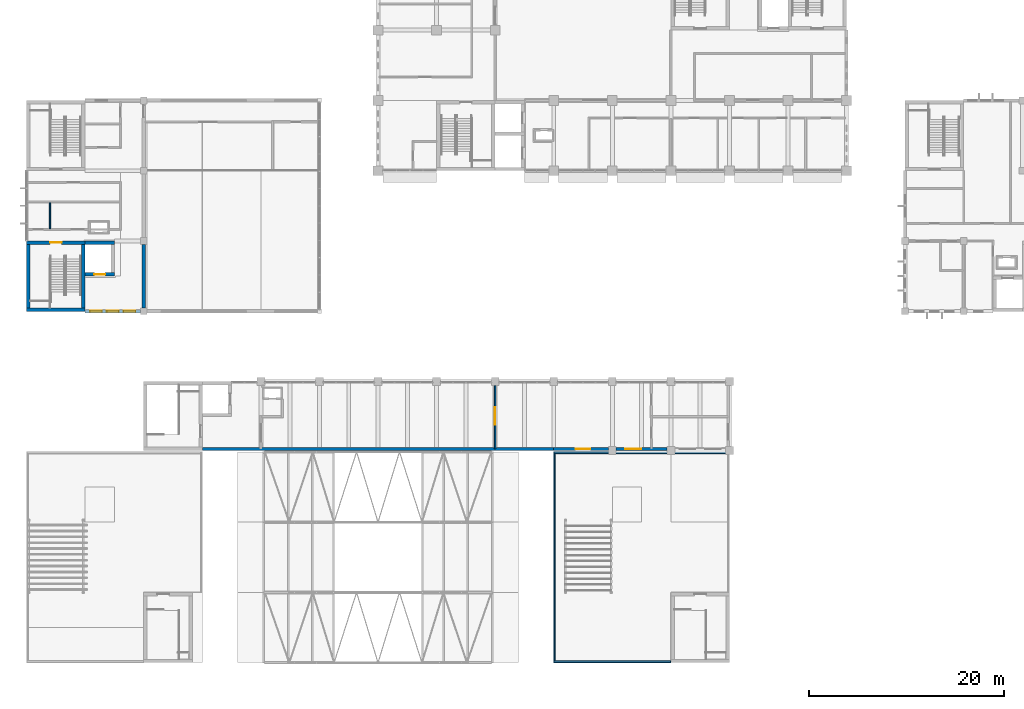
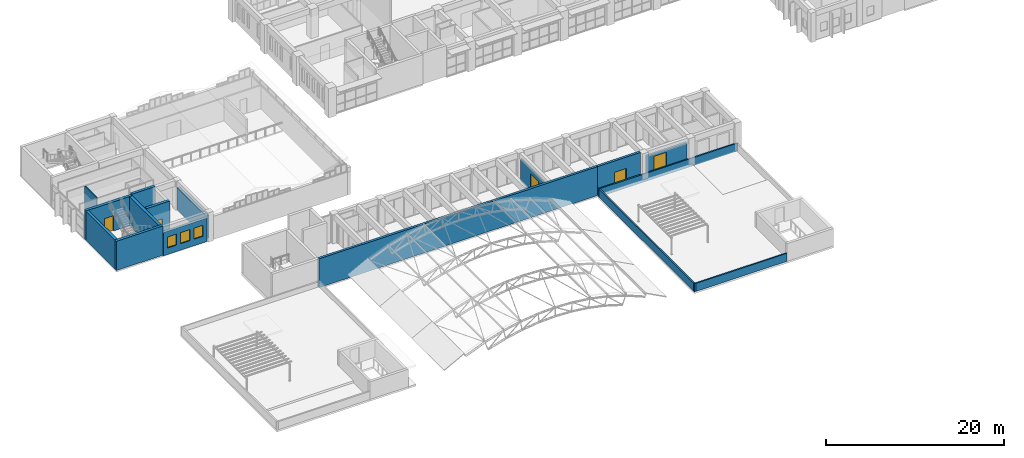
# One storey, part 61 of 92: 16 walls, 4 doors, 4 windows, 8 openings.
"""IFC4 building model written with IfcOpenShell, lengths in metres."""

import ifcopenshell
import ifcopenshell.guid

model = None  # the IFC model being written
_history = None  # IfcOwnerHistory: only IFC2X3 demands one
_inside = {}  # id of a spatial element -> (the spatial element, [elements in it])
_under = {}  # id of a project, library or spatial element -> (it, [spatial elements below it])
_declared = {}  # id of a project -> (the project, [libraries it declares])
_typed = {}  # id of a type object -> (the type object, [elements of that type])
_made_of = {}  # id of a material, layer set ... -> (it, [elements and type objects made of it])


def new_model(schema):
    """Start an empty IFC model of exactly this schema.

    Asked for "IFC4X3", IfcOpenShell would pick the latest addendum, in which some entities
    have other attributes; the version numbers below select the first issue.
    IFC2X3 requires an IfcOwnerHistory on every rooted entity: one is made here for all.
    """
    global model, _history
    if schema == "IFC4X3":
        model = ifcopenshell.file(schema_version=(4, 3, 0, 0))
    else:
        model = ifcopenshell.file(schema=schema)
    _inside.clear()
    _under.clear()
    _declared.clear()
    _typed.clear()
    _made_of.clear()
    _history = None
    if model.schema == "IFC2X3":
        org = make("IfcOrganization", Name="unknown")
        user = make(
            "IfcPersonAndOrganization",
            ThePerson=make("IfcPerson", FamilyName="unknown"),
            TheOrganization=org,
        )
        app = make(
            "IfcApplication",
            ApplicationDeveloper=org,
            Version="unknown",
            ApplicationFullName="unknown",
            ApplicationIdentifier="unknown",
        )
        _history = make(
            "IfcOwnerHistory",
            OwningUser=user,
            OwningApplication=app,
            ChangeAction="ADDED",
            CreationDate=0,
        )
    return model


def make(cls, **values):
    """One entity of the class cls with the attributes given. An attribute that is None is left unset."""
    return model.create_entity(
        cls, **{name: value for name, value in values.items() if value is not None}
    )


def rooted(cls, **values):
    """An entity with a GlobalId (a new one), such as an element, a storey or a relation."""
    return make(cls, GlobalId=ifcopenshell.guid.new(), OwnerHistory=_history, **values)


def si_unit(unit_type, name, prefix=None):
    """IfcSIUnit, for example si_unit("LENGTHUNIT", "METRE", prefix="MILLI")."""
    return make("IfcSIUnit", UnitType=unit_type, Prefix=prefix, Name=name)


def assignment(units):
    """IfcUnitAssignment: the units of a project."""
    return None if units is None else make("IfcUnitAssignment", Units=units)


def point(xyz):
    """IfcCartesianPoint."""
    return None if xyz is None else make("IfcCartesianPoint", Coordinates=xyz)


def direction(xyz):
    """IfcDirection."""
    return None if xyz is None else make("IfcDirection", DirectionRatios=xyz)


def frame(location, z_axis=None, x_axis=None):
    """IfcAxis2Placement3D, a coordinate frame: its origin and axes. An axis left out is left unset."""
    return make(
        "IfcAxis2Placement3D",
        Location=point(location),
        Axis=direction(z_axis),
        RefDirection=direction(x_axis),
    )


def frame_2d(location, x_axis=None):
    """IfcAxis2Placement2D, a coordinate frame in the plane: its origin and x axis."""
    return make(
        "IfcAxis2Placement2D", Location=point(location), RefDirection=direction(x_axis)
    )


def origin():
    """The frame at (0, 0, 0) with its axes left unset."""
    return frame((0.0, 0.0, 0.0))


def place(relative_to, where):
    """IfcLocalPlacement: puts the frame where relative to a parent placement (None: the world)."""
    return make(
        "IfcLocalPlacement", PlacementRelTo=relative_to, RelativePlacement=where
    )


def context(
    kind, dimensions, precision=None, world=None, true_north=None, identifier=None
):
    """IfcGeometricRepresentationContext, for example the 3D "Model" context."""
    return make(
        "IfcGeometricRepresentationContext",
        ContextIdentifier=identifier,
        ContextType=kind,
        CoordinateSpaceDimension=dimensions,
        Precision=precision,
        WorldCoordinateSystem=world,
        TrueNorth=true_north,
    )


def subcontext(parent, identifier, kind, view, scale=None):
    """IfcGeometricRepresentationSubContext, for example "Body" below "Model"."""
    return make(
        "IfcGeometricRepresentationSubContext",
        ContextIdentifier=identifier,
        ContextType=kind,
        ParentContext=parent,
        TargetScale=scale,
        TargetView=view,
    )


def project(units=None, contexts=None):
    """IfcProject with its units and contexts."""
    return rooted(
        "IfcProject",
        Name="project",
        RepresentationContexts=contexts,
        UnitsInContext=assignment(units),
    )


def spatial(cls, under=None, at=None, **own):
    """A site, building, storey or space (cls), placed at a placement, below another one or the project."""
    s = rooted(cls, ObjectPlacement=at, **own)
    if under is not None:
        _under.setdefault(under.id(), (under, []))[1].append(s)
    return s


def profile(cls, at=None, kind="AREA", **sizes):
    """A parametric profile (cls). Its sizes go by their IFC names, for example OverallWidth=200.0."""
    return make(cls, ProfileType=kind, Position=at, **sizes)


def rectangle(**sizes):
    """IfcRectangleProfileDef."""
    return profile("IfcRectangleProfileDef", **sizes)


def extrude(swept, where, along, depth):
    """IfcExtrudedAreaSolid: the profile swept, set in the frame where, extruded along a direction by depth."""
    return make(
        "IfcExtrudedAreaSolid",
        SweptArea=swept,
        Position=where,
        ExtrudedDirection=direction(along),
        Depth=depth,
    )


def shape(context_of_items, identifier, shape_type, items):
    """IfcShapeRepresentation: the items that make up one representation, for example the "Body"."""
    return make(
        "IfcShapeRepresentation",
        ContextOfItems=context_of_items,
        RepresentationIdentifier=identifier,
        RepresentationType=shape_type,
        Items=items,
    )


def material(Name=None, Category=None):
    """IfcMaterial."""
    return make("IfcMaterial", Name=Name, Category=Category)


def layer(
    of_material, thickness, ventilated=None, Name=None, Category=None, Priority=None
):
    """IfcMaterialLayer: one layer of a wall or slab, of a material (None: an air gap)."""
    return make(
        "IfcMaterialLayer",
        Material=of_material,
        LayerThickness=thickness,
        IsVentilated=ventilated,
        Name=Name,
        Category=Category,
        Priority=Priority,
    )


def layer_set(layers, Name=None):
    """IfcMaterialLayerSet."""
    return make("IfcMaterialLayerSet", MaterialLayers=layers, LayerSetName=Name)


def made_of(thing, what):
    """Note that an element or type object is made of a material, layer set ...; save() writes the relation."""
    if what is not None:
        _made_of.setdefault(what.id(), (what, []))[1].append(thing)
    return thing


def type_object(cls, material=None, **own):
    """A type object (cls), such as IfcWallType, which elements share."""
    return made_of(rooted(cls, **own), material)


def element(
    cls,
    number,
    at=None,
    inside=None,
    cuts=None,
    type_object=None,
    material=None,
    context=None,
    identifier="Body",
    shape_type=None,
    held_by="IfcProductDefinitionShape",
    body=None,
    shapes=None,
    **own,
):
    """One element of the class cls, such as IfcWall. Its Tag is "e" and its number.

    at: its placement. inside: the storey or other place that contains it. cuts: it is an
    opening in that element (IfcRelVoidsElement). A single representation is given by context,
    identifier, shape_type and body (its items); several are given by shapes. held_by: the class
    of the entity that holds the representations. save() writes the other relations.
    """
    e = rooted(cls, Tag="e%d" % number, ObjectPlacement=at, **own)
    if body is not None:
        shapes = [shape(context, identifier, shape_type, body)]
    if shapes is not None:
        e.Representation = make(held_by, Representations=shapes)
    if inside is not None:
        _inside.setdefault(inside.id(), (inside, []))[1].append(e)
    if cuts is not None:
        rooted(
            "IfcRelVoidsElement", RelatingBuildingElement=cuts, RelatedOpeningElement=e
        )
    if type_object is not None:
        _typed.setdefault(type_object.id(), (type_object, []))[1].append(e)
    return made_of(e, material)


def fill(opening, filler):
    """IfcRelFillsElement: the door or window that sits in an opening."""
    return rooted(
        "IfcRelFillsElement",
        RelatingOpeningElement=opening,
        RelatedBuildingElement=filler,
    )


def aggregate(whole, parts):
    """IfcRelAggregates: a whole, such as a stair, and the parts it consists of."""
    return rooted("IfcRelAggregates", RelatingObject=whole, RelatedObjects=parts)


def save(model, path):
    """Write the relations noted so far, then the file.

    IfcRelAggregates (storeys below a building ...), IfcRelContainedInSpatialStructure (elements
    in a storey), IfcRelDefinesByType, IfcRelAssociatesMaterial and IfcRelDeclares: one each for
    every whole, place, type object, material and project.
    """
    for whole, parts in _under.values():
        aggregate(whole, parts)
    for where, things in _inside.values():
        rooted(
            "IfcRelContainedInSpatialStructure",
            RelatedElements=things,
            RelatingStructure=where,
        )
    for kind, things in _typed.values():
        rooted("IfcRelDefinesByType", RelatedObjects=things, RelatingType=kind)
    for what, things in _made_of.values():
        rooted("IfcRelAssociatesMaterial", RelatedObjects=things, RelatingMaterial=what)
    for by, libraries in _declared.values():
        rooted("IfcRelDeclares", RelatingContext=by, RelatedDefinitions=libraries)
    model.write(path)


model = new_model("IFC4")

# Units and contexts
model_context = context("Model", 3, precision=1e-05, world=origin(), true_north=direction((0.0, 1.0)))
body_context = subcontext(model_context, "Body", "Model", "MODEL_VIEW")
ifc_project = project(units=[si_unit("LENGTHUNIT", "METRE"), si_unit("AREAUNIT", "SQUARE_METRE"), si_unit("VOLUMEUNIT", "CUBIC_METRE"), si_unit("PLANEANGLEUNIT", "RADIAN"), si_unit("MASSUNIT", "GRAM", prefix="KILO")], contexts=[model_context])

# Site, building, storey
site_placement = place(None, origin())
site = spatial("IfcSite", under=ifc_project, at=site_placement, CompositionType="ELEMENT")
building_placement = place(site_placement, origin())
building = spatial("IfcBuilding", under=site, at=building_placement, Name="Laocheng Heights Fire and Rescue Headquarters", CompositionType="ELEMENT")
storey_placement = place(building_placement, frame((0.0, 0.0, 12.60009765625)))
storey = spatial("IfcBuildingStorey", under=building, at=storey_placement, Name="L03", CompositionType="ELEMENT", Elevation=12.60009765625)

# Wall
ifc_material_1 = material(Name="Gypsum plaster")
ifc_layer_1 = layer(ifc_material_1, 0.010009765625, Name="PLASTER", Category="plaster")
ifc_material_2 = material(Name="Concrete blockwork MU10", Category="masonry")
ifc_layer_2 = layer(ifc_material_2, 0.1298828125, Name="BLOCKWORK", Category="masonry")
ifc_layer_3 = layer(ifc_material_1, 0.010009765625, Name="PLASTER", Category="plaster")
ifc_layer_set_1 = layer_set([ifc_layer_1, ifc_layer_2, ifc_layer_3], Name="Concrete blockwork MU10")
wall_type_1 = type_object("IfcWallType", Name="BLOCKWORK CORRIDOR WALL 150 EI 60 PAVILION", PredefinedType="PARTITIONING", material=ifc_layer_set_1)
wall_1_placement = place(storey_placement, frame((2.39990234375, 44.47509765625, 0.0), z_axis=(0.0, 0.0, 1.0), x_axis=(0.0, 1.0, 0.0)))
element("IfcWall", 1, at=wall_1_placement, inside=storey, type_object=wall_type_1, Name="Partition L03-001", PredefinedType="PARTITIONING", context=body_context, shape_type="SweptSolid", body=[
    extrude(rectangle(XDim=2.64990234375, YDim=0.14990234375, at=frame_2d((1.324951171875, 0.0))), origin(), (0.0, 0.0, 1.0), 4.0),
])

# Wall, opening, door
ifc_material_3 = material(Name="Gypsum plaster")
ifc_layer_4 = layer(ifc_material_3, 0.010009765625, Name="PLASTER", Category="plaster")
ifc_material_4 = material(Name="Concrete blockwork MU10", Category="masonry")
ifc_layer_5 = layer(ifc_material_4, 0.1298828125, Name="BLOCKWORK", Category="masonry")
ifc_layer_6 = layer(ifc_material_3, 0.010009765625, Name="PLASTER", Category="plaster")
ifc_layer_set_2 = layer_set([ifc_layer_4, ifc_layer_5, ifc_layer_6], Name="Concrete blockwork MU10")
wall_type_2 = type_object("IfcWallType", Name="BLOCKWORK PARTITION 150 EI 45 GALLERY", PredefinedType="PARTITIONING", material=ifc_layer_set_2)
wall_2_placement = place(storey_placement, frame((48.0, 21.89990234375, 0.0), z_axis=(0.0, 0.0, 1.0), x_axis=(0.0, 1.0, 0.0)))
wall_2 = element("IfcWall", 2, at=wall_2_placement, inside=storey, type_object=wall_type_2, Name="Partition L03-004", PredefinedType="PARTITIONING", context=body_context, shape_type="SweptSolid", body=[
    extrude(rectangle(XDim=6.5, YDim=0.14990234375, at=frame_2d((3.25, 0.0))), origin(), (0.0, 0.0, 1.0), 3.14990234375),
])
opening_1_placement = place(wall_2_placement, frame((2.47509765625, 0.0, 0.0)))
opening_1 = element("IfcOpeningElement", 3, at=opening_1_placement, cuts=wall_2, Name="Opening L03-M02", PredefinedType="OPENING", context=body_context, shape_type="SweptSolid", body=[
    extrude(rectangle(XDim=1.800048828125, YDim=2.39990234375, at=frame_2d((0.89990234375, 1.199951171875))), frame((0.0, 0.0849609375, 0.0), z_axis=(0.0, -1.0, 0.0), x_axis=(1.0, 0.0, 0.0)), (0.0, 0.0, 1.0), 0.169921875),
])
ifc_material_5 = material(Name="Steel frame, fire-resistant glazing", Category="steel")
door_type_1 = type_object("IfcDoorType", Name="FIRE-RATED GLAZED DOOR 1800x2400 EI 45 GALLERY", OperationType="DOUBLE_DOOR_SINGLE_SWING", PredefinedType="DOOR", material=ifc_material_5)
door_1_placement = place(opening_1_placement, frame((1.800048828125, 0.0, 0.0), z_axis=(0.0, 0.0, 1.0), x_axis=(-1.0, 0.0, 0.0)))
door_1 = element("IfcDoor", 4, at=door_1_placement, inside=storey, type_object=door_type_1, Name="Door L03-M02", OperationType="DOUBLE_DOOR_SINGLE_SWING", OverallHeight=2.39990234375, OverallWidth=1.800048828125, PredefinedType="DOOR", context=body_context, shape_type="SweptSolid", body=[
    extrude(rectangle(XDim=1.800048828125, YDim=2.39990234375, at=frame_2d((0.89990234375, 1.199951171875))), frame((0.0, 0.02490234375, 0.0), z_axis=(0.0, -1.0, 0.0), x_axis=(1.0, 0.0, 0.0)), (0.0, 0.0, 1.0), 0.050048828125),
])
fill(opening_1, door_1)

ifc_material_6 = material(Name="Precast concrete C40/50", Category="concrete")
ifc_layer_7 = layer(ifc_material_6, 0.300048828125)
ifc_layer_set_3 = layer_set([ifc_layer_7], Name="Precast concrete C40/50")
wall_type_3 = type_object("IfcWallType", Name="PRECAST PANEL WALL 300 GALLERY SOUTH", PredefinedType="SOLIDWALL", material=ifc_layer_set_3)
wall_3_placement = place(storey_placement, frame((54.0, 21.89990234375, 0.0), z_axis=(0.0, 0.0, 1.0), x_axis=(1.0, 0.0, 0.0)))
wall_3 = element("IfcWall", 5, at=wall_3_placement, inside=storey, type_object=wall_type_3, Name="Gallery wall L03", PredefinedType="SOLIDWALL", context=body_context, shape_type="SweptSolid", body=[
    extrude(rectangle(XDim=5.60009765625, YDim=0.300048828125, at=frame_2d((2.800048828125, 0.0))), origin(), (0.0, 0.0, 1.0), 3.949951171875),
])
opening_2_placement = place(wall_3_placement, frame((2.25, 0.0, 0.0)))
opening_2 = element("IfcOpeningElement", 6, at=opening_2_placement, cuts=wall_3, Name="Opening L03-E01", PredefinedType="OPENING", context=body_context, shape_type="SweptSolid", body=[
    extrude(rectangle(XDim=1.5, YDim=2.39990234375, at=frame_2d((0.75, 1.199951171875))), frame((0.0, 0.159912109375, 0.0), z_axis=(0.0, -1.0, 0.0), x_axis=(1.0, 0.0, 0.0)), (0.0, 0.0, 1.0), 0.320068359375),
])
ifc_material_7 = material(Name="Aluminium framed glazed door, low-e double glazing", Category="aluminium")
door_type_2 = type_object("IfcDoorType", Name="GARDEN DOOR DOUBLE GLAZED 1500 x 2400 EI 60", OperationType="DOUBLE_DOOR_SINGLE_SWING", PredefinedType="DOOR", material=ifc_material_7)
door_2_placement = place(opening_2_placement, frame((1.5, 0.0, 0.0), z_axis=(0.0, 0.0, 1.0), x_axis=(-1.0, 0.0, 0.0)))
door_2 = element("IfcDoor", 7, at=door_2_placement, inside=storey, type_object=door_type_2, Name="Garden door L03-E01", OperationType="DOUBLE_DOOR_SINGLE_SWING", OverallHeight=2.39990234375, OverallWidth=1.5, PredefinedType="DOOR", context=body_context, shape_type="SweptSolid", body=[
    extrude(rectangle(XDim=1.5, YDim=2.39990234375, at=frame_2d((0.75, 1.199951171875))), frame((0.0, 0.02490234375, 0.0), z_axis=(0.0, -1.0, 0.0), x_axis=(1.0, 0.0, 0.0)), (0.0, 0.0, 1.0), 0.050048828125),
])
fill(opening_2, door_2)

# Wall, opening, window
wall_4_placement = place(storey_placement, frame((60.39990234375, 21.89990234375, 0.0), z_axis=(0.0, 0.0, 1.0), x_axis=(1.0, 0.0, 0.0)))
wall_4 = element("IfcWall", 8, at=wall_4_placement, inside=storey, type_object=wall_type_3, Name="Gallery wall L03", PredefinedType="SOLIDWALL", context=body_context, shape_type="SweptSolid", body=[
    extrude(rectangle(XDim=5.2001953125, YDim=0.300048828125, at=frame_2d((2.60009765625, 0.0))), origin(), (0.0, 0.0, 1.0), 3.14990234375),
])
opening_3_placement = place(wall_4_placement, frame((0.949951171875, 0.0, 0.89990234375)))
opening_3 = element("IfcOpeningElement", 9, at=opening_3_placement, cuts=wall_4, Name="Opening N3-E", PredefinedType="OPENING", context=body_context, shape_type="SweptSolid", body=[
    extrude(rectangle(XDim=1.60009765625, YDim=1.89990234375, at=frame_2d((0.800048828125, 0.949951171875))), frame((0.0, 0.159912109375, 0.0), z_axis=(0.0, -1.0, 0.0), x_axis=(1.0, 0.0, 0.0)), (0.0, 0.0, 1.0), 0.320068359375),
])
ifc_material_8 = material(Name="Low-e double glazing in thermally broken aluminium frame", Category="aluminium")
window_type_1 = type_object("IfcWindowType", Name="GALLERY WINDOW 1600 x 1900 SILL 900", PartitioningType="SINGLE_PANEL", PredefinedType="WINDOW", material=ifc_material_8)
window_1_placement = place(opening_3_placement, origin())
window_1 = element("IfcWindow", 10, at=window_1_placement, inside=storey, type_object=window_type_1, Name="Gallery window L03", OverallHeight=1.89990234375, OverallWidth=1.60009765625, PartitioningType="SINGLE_PANEL", PredefinedType="WINDOW", context=body_context, shape_type="SweptSolid", body=[
    extrude(rectangle(XDim=1.60009765625, YDim=1.89990234375, at=frame_2d((0.800048828125, 0.949951171875))), frame((0.0, 0.030029296875, 0.0), z_axis=(0.0, -1.0, 0.0), x_axis=(1.0, 0.0, 0.0)), (0.0, 0.0, 1.0), 0.06005859375),
])
fill(opening_3, window_1)

# Walls
ifc_material_9 = material(Name="Precast concrete C40/50", Category="concrete")
ifc_layer_8 = layer(ifc_material_9, 0.179931640625)
ifc_layer_set_4 = layer_set([ifc_layer_8], Name="Precast concrete C40/50")
wall_type_4 = type_object("IfcWallType", Name="PRECAST PARAPET 200 x 1100", PredefinedType="PARAPET", material=ifc_layer_set_4)
wall_5_placement = place(storey_placement, frame((54.0, 21.510009765625, 0.0), z_axis=(0.0, 0.0, 1.0), x_axis=(1.0, 0.0, 0.0)))
element("IfcWall", 11, at=wall_5_placement, inside=storey, type_object=wall_type_4, Name="Flank E parapet", PredefinedType="PARAPET", context=body_context, shape_type="SweptSolid", body=[
    extrude(rectangle(XDim=18.0, YDim=0.179931640625, at=frame_2d((9.0, 0.0))), origin(), (0.0, 0.0, 1.0), 1.099853515625),
])
wall_6_placement = place(storey_placement, frame((54.090087890625, 0.0, 0.0), z_axis=(0.0, 0.0, 1.0), x_axis=(0.0, 1.0, 0.0)))
element("IfcWall", 12, at=wall_6_placement, inside=storey, type_object=wall_type_4, Name="Flank E parapet", PredefinedType="PARAPET", context=body_context, shape_type="SweptSolid", body=[
    extrude(rectangle(XDim=21.60009765625, YDim=0.179931640625, at=frame_2d((10.800048828125, 0.0))), origin(), (0.0, 0.0, 1.0), 1.099853515625),
])
wall_7_placement = place(storey_placement, frame((54.0, 0.090087890625, 0.0), z_axis=(0.0, 0.0, 1.0), x_axis=(1.0, 0.0, 0.0)))
element("IfcWall", 13, at=wall_7_placement, inside=storey, type_object=wall_type_4, Name="Flank E parapet", PredefinedType="PARAPET", context=body_context, shape_type="SweptSolid", body=[
    extrude(rectangle(XDim=12.0, YDim=0.179931640625, at=frame_2d((6.0, 0.0))), origin(), (0.0, 0.0, 1.0), 1.099853515625),
])

# Wall, openings, windows
ifc_material_10 = material(Name="Precast concrete C40/50", Category="concrete")
ifc_layer_9 = layer(ifc_material_10, 0.300048828125)
ifc_layer_set_5 = layer_set([ifc_layer_9], Name="Precast concrete C40/50")
wall_type_5 = type_object("IfcWallType", Name="PRECAST WALL PANEL FOYER 300", PredefinedType="SOLIDWALL", material=ifc_layer_set_5)
wall_8_placement = place(storey_placement, frame((6.0, 36.0, 0.0), z_axis=(0.0, 0.0, 1.0), x_axis=(1.0, 0.0, 0.0)))
wall_8 = element("IfcWall", 14, at=wall_8_placement, inside=storey, type_object=wall_type_5, Name="PRECAST WALL PANEL FOYER FOYER SOUTH L03", PredefinedType="SOLIDWALL", context=body_context, shape_type="SweptSolid", body=[
    extrude(rectangle(XDim=5.64990234375, YDim=0.300048828125, at=frame_2d((2.824951171875, 0.0))), origin(), (0.0, 0.0, 1.0), 3.199951171875),
])
opening_4_placement = place(wall_8_placement, frame((0.512451171875, 0.0, 0.89990234375)))
opening_4 = element("IfcOpeningElement", 15, at=opening_4_placement, cuts=wall_8, Name="Opening N1-V", PredefinedType="OPENING", context=body_context, shape_type="SweptSolid", body=[
    extrude(rectangle(XDim=1.199951171875, YDim=1.5, at=frame_2d((0.60009765625, 0.75))), frame((0.0, 0.159912109375, 0.0), z_axis=(0.0, -1.0, 0.0), x_axis=(1.0, 0.0, 0.0)), (0.0, 0.0, 1.0), 0.320068359375),
])
opening_5_placement = place(wall_8_placement, frame((2.22509765625, 0.0, 0.89990234375)))
opening_5 = element("IfcOpeningElement", 16, at=opening_5_placement, cuts=wall_8, Name="Opening N1-V", PredefinedType="OPENING", context=body_context, shape_type="SweptSolid", body=[
    extrude(rectangle(XDim=1.199951171875, YDim=1.5, at=frame_2d((0.60009765625, 0.75))), frame((0.0, 0.159912109375, 0.0), z_axis=(0.0, -1.0, 0.0), x_axis=(1.0, 0.0, 0.0)), (0.0, 0.0, 1.0), 0.320068359375),
])
opening_6_placement = place(wall_8_placement, frame((3.9375, 0.0, 0.89990234375)))
opening_6 = element("IfcOpeningElement", 17, at=opening_6_placement, cuts=wall_8, Name="Opening N1-V", PredefinedType="OPENING", context=body_context, shape_type="SweptSolid", body=[
    extrude(rectangle(XDim=1.199951171875, YDim=1.5, at=frame_2d((0.60009765625, 0.75))), frame((0.0, 0.159912109375, 0.0), z_axis=(0.0, -1.0, 0.0), x_axis=(1.0, 0.0, 0.0)), (0.0, 0.0, 1.0), 0.320068359375),
])
ifc_material_11 = material(Name="Low-e double glazing in aluminium frame", Category="aluminium")
window_type_2 = type_object("IfcWindowType", Name="WINDOW 1200 x 1500 FOYER ALUMINIUM", PartitioningType="SINGLE_PANEL", PredefinedType="WINDOW", material=ifc_material_11)
window_2_placement = place(opening_4_placement, origin())
window_2 = element("IfcWindow", 18, at=window_2_placement, inside=storey, type_object=window_type_2, Name="FOYER ALUMINIUM FOYER SOUTH L03", OverallHeight=1.5, OverallWidth=1.199951171875, PartitioningType="SINGLE_PANEL", PredefinedType="WINDOW", context=body_context, shape_type="SweptSolid", body=[
    extrude(rectangle(XDim=1.199951171875, YDim=1.5, at=frame_2d((0.60009765625, 0.75))), frame((0.0, 0.030029296875, 0.0), z_axis=(0.0, -1.0, 0.0), x_axis=(1.0, 0.0, 0.0)), (0.0, 0.0, 1.0), 0.06005859375),
])
fill(opening_4, window_2)
window_3_placement = place(opening_5_placement, origin())
window_3 = element("IfcWindow", 19, at=window_3_placement, inside=storey, type_object=window_type_2, Name="FOYER ALUMINIUM FOYER SOUTH L03", OverallHeight=1.5, OverallWidth=1.199951171875, PartitioningType="SINGLE_PANEL", PredefinedType="WINDOW", context=body_context, shape_type="SweptSolid", body=[
    extrude(rectangle(XDim=1.199951171875, YDim=1.5, at=frame_2d((0.60009765625, 0.75))), frame((0.0, 0.030029296875, 0.0), z_axis=(0.0, -1.0, 0.0), x_axis=(1.0, 0.0, 0.0)), (0.0, 0.0, 1.0), 0.06005859375),
])
fill(opening_5, window_3)
window_4_placement = place(opening_6_placement, origin())
window_4 = element("IfcWindow", 20, at=window_4_placement, inside=storey, type_object=window_type_2, Name="FOYER ALUMINIUM FOYER SOUTH L03", OverallHeight=1.5, OverallWidth=1.199951171875, PartitioningType="SINGLE_PANEL", PredefinedType="WINDOW", context=body_context, shape_type="SweptSolid", body=[
    extrude(rectangle(XDim=1.199951171875, YDim=1.5, at=frame_2d((0.60009765625, 0.75))), frame((0.0, 0.030029296875, 0.0), z_axis=(0.0, -1.0, 0.0), x_axis=(1.0, 0.0, 0.0)), (0.0, 0.0, 1.0), 0.06005859375),
])
fill(opening_6, window_4)

# Wall, opening, door
ifc_material_12 = material(Name="Concrete C50", Category="concrete")
ifc_layer_10 = layer(ifc_material_12, 0.35009765625)
ifc_layer_set_6 = layer_set([ifc_layer_10], Name="Concrete C50")
wall_type_6 = type_object("IfcWallType", Name="RC LIFT SHAFT WALL 350", PredefinedType="SHEAR", material=ifc_layer_set_6)
wall_9_placement = place(storey_placement, frame((6.0, 39.77490234375, 0.0), z_axis=(0.0, 0.0, 1.0), x_axis=(1.0, 0.0, 0.0)))
wall_9 = element("IfcWall", 21, at=wall_9_placement, inside=storey, type_object=wall_type_6, Name="Lift shaft wall", PredefinedType="SHEAR", context=body_context, shape_type="SweptSolid", body=[
    extrude(rectangle(XDim=3.0, YDim=0.35009765625, at=frame_2d((1.5, 0.0))), origin(), (0.0, 0.0, 1.0), 4.199951171875),
])
opening_7_placement = place(wall_9_placement, frame((0.949951171875, 0.0, 0.0)))
opening_7 = element("IfcOpeningElement", 22, at=opening_7_placement, cuts=wall_9, Name="Opening L03-K07", PredefinedType="OPENING", context=body_context, shape_type="SweptSolid", body=[
    extrude(rectangle(XDim=1.10009765625, YDim=2.10009765625, at=frame_2d((0.550048828125, 1.050048828125))), frame((0.0, 0.18505859375, 0.0), z_axis=(0.0, -1.0, 0.0), x_axis=(1.0, 0.0, 0.0)), (0.0, 0.0, 1.0), 0.3701171875),
])
ifc_material_13 = material(Name="Stainless steel", Category="steel")
door_type_3 = type_object("IfcDoorType", Name="LANDING DOOR P-L1 SLIDING 1100x2100 E 120", OperationType="DOUBLE_DOOR_SLIDING", PredefinedType="DOOR", material=ifc_material_13)
door_3_placement = place(opening_7_placement, origin())
door_3 = element("IfcDoor", 23, at=door_3_placement, inside=storey, type_object=door_type_3, Name="Landing door P-L1", OperationType="DOUBLE_DOOR_SLIDING", OverallHeight=2.10009765625, OverallWidth=1.10009765625, PredefinedType="DOOR", context=body_context, shape_type="SweptSolid", body=[
    extrude(rectangle(XDim=1.10009765625, YDim=2.10009765625, at=frame_2d((0.550048828125, 1.050048828125))), frame((0.0, 0.02490234375, 0.0), z_axis=(0.0, -1.0, 0.0), x_axis=(1.0, 0.0, 0.0)), (0.0, 0.0, 1.0), 0.050048828125),
])
fill(opening_7, door_3)

# Walls
wall_10_placement = place(storey_placement, frame((6.0, 43.02490234375, 0.0), z_axis=(0.0, 0.0, 1.0), x_axis=(1.0, 0.0, 0.0)))
element("IfcWall", 24, at=wall_10_placement, inside=storey, type_object=wall_type_6, Name="Lift shaft wall", PredefinedType="SHEAR", context=body_context, shape_type="SweptSolid", body=[
    extrude(rectangle(XDim=3.0, YDim=0.35009765625, at=frame_2d((1.5, 0.0))), origin(), (0.0, 0.0, 1.0), 4.199951171875),
])
ifc_material_14 = material(Name="Concrete C40", Category="concrete")
ifc_layer_11 = layer(ifc_material_14, 0.35009765625)
ifc_layer_set_7 = layer_set([ifc_layer_11], Name="Concrete C40")
wall_type_7 = type_object("IfcWallType", Name="RC SHEAR WALL 350 THEATRE", PredefinedType="SHEAR", material=ifc_layer_set_7)
wall_11_placement = place(storey_placement, frame((12.0, 36.35009765625, 0.0), z_axis=(0.0, 0.0, 1.0), x_axis=(0.0, 1.0, 0.0)))
element("IfcWall", 25, at=wall_11_placement, inside=storey, type_object=wall_type_7, Name="Theatre west wall L03", PredefinedType="SHEAR", context=body_context, shape_type="SweptSolid", body=[
    extrude(rectangle(XDim=6.5, YDim=0.35009765625, at=frame_2d((3.25, 0.0))), origin(), (0.0, 0.0, 1.0), 3.099853515625),
])
ifc_material_15 = material(Name="Concrete C50", Category="concrete")
ifc_layer_12 = layer(ifc_material_15, 0.35009765625)
ifc_layer_set_8 = layer_set([ifc_layer_12], Name="Concrete C50")
wall_type_8 = type_object("IfcWallType", Name="RC STAIR ENCLOSURE WALL 350", PredefinedType="SHEAR", material=ifc_layer_set_8)
wall_12_placement = place(storey_placement, frame((0.0, 36.175048828125, 0.0), z_axis=(0.0, 0.0, 1.0), x_axis=(1.0, 0.0, 0.0)))
element("IfcWall", 26, at=wall_12_placement, inside=storey, type_object=wall_type_8, Name="Stair enclosure wall", PredefinedType="SHEAR", context=body_context, shape_type="SweptSolid", body=[
    extrude(rectangle(XDim=6.0, YDim=0.35009765625, at=frame_2d((3.0, 0.0))), origin(), (0.0, 0.0, 1.0), 4.0),
])

# Wall, opening, door
wall_13_placement = place(storey_placement, frame((0.0, 43.02490234375, 0.0), z_axis=(0.0, 0.0, 1.0), x_axis=(1.0, 0.0, 0.0)))
wall_13 = element("IfcWall", 27, at=wall_13_placement, inside=storey, type_object=wall_type_8, Name="Stair enclosure wall", PredefinedType="SHEAR", context=body_context, shape_type="SweptSolid", body=[
    extrude(rectangle(XDim=6.0, YDim=0.35009765625, at=frame_2d((3.0, 0.0))), origin(), (0.0, 0.0, 1.0), 4.0),
])
opening_8_placement = place(wall_13_placement, frame((2.39990234375, 0.0, 0.0)))
opening_8 = element("IfcOpeningElement", 28, at=opening_8_placement, cuts=wall_13, Name="Opening L03-K06", PredefinedType="OPENING", context=body_context, shape_type="SweptSolid", body=[
    extrude(rectangle(XDim=1.199951171875, YDim=2.10009765625, at=frame_2d((0.60009765625, 1.050048828125))), frame((0.0, 0.18505859375, 0.0), z_axis=(0.0, -1.0, 0.0), x_axis=(1.0, 0.0, 0.0)), (0.0, 0.0, 1.0), 0.3701171875),
])
ifc_material_16 = material(Name="Painted steel", Category="steel")
door_type_4 = type_object("IfcDoorType", Name="FIRE DOOR 1200x2100 EI 60", OperationType="SINGLE_SWING_LEFT", PredefinedType="DOOR", material=ifc_material_16)
door_4_placement = place(opening_8_placement, frame((1.199951171875, 0.0, 0.0), z_axis=(0.0, 0.0, 1.0), x_axis=(-1.0, 0.0, 0.0)))
door_4 = element("IfcDoor", 29, at=door_4_placement, inside=storey, type_object=door_type_4, Name="Stair P1 door", OperationType="SINGLE_SWING_RIGHT", OverallHeight=2.10009765625, OverallWidth=1.199951171875, PredefinedType="DOOR", context=body_context, shape_type="SweptSolid", body=[
    extrude(rectangle(XDim=1.199951171875, YDim=2.10009765625, at=frame_2d((0.60009765625, 1.050048828125))), frame((0.0, 0.02490234375, 0.0), z_axis=(0.0, -1.0, 0.0), x_axis=(1.0, 0.0, 0.0)), (0.0, 0.0, 1.0), 0.050048828125),
])
fill(opening_8, door_4)

# Walls
for number, where, z_axis, x_axis, name in (
    (30, (0.175048828125, 36.35009765625, 0.0), (0.0, 0.0, 1.0), (0.0, 1.0, 0.0), "Stair enclosure wall"),
    (31, (5.824951171875, 36.35009765625, 0.0), (0.0, 0.0, 1.0), (0.0, 1.0, 0.0), "Stair enclosure wall"),
):
    element("IfcWall", number, at=place(storey_placement, frame(where, z_axis=z_axis, x_axis=x_axis)), inside=storey, type_object=wall_type_8, Name=name, PredefinedType="SHEAR", context=body_context, shape_type="SweptSolid", body=[
        extrude(rectangle(XDim=6.5, YDim=0.35009765625, at=frame_2d((3.25, 0.0))), origin(), (0.0, 0.0, 1.0), 4.0),
    ])
ifc_material_17 = material(Name="Concrete C40", Category="concrete")
ifc_layer_13 = layer(ifc_material_17, 0.300048828125)
ifc_layer_set_9 = layer_set([ifc_layer_13], Name="Concrete C40")
wall_type_9 = type_object("IfcWallType", Name="RC WALL 300 GALLERY SOUTH", PredefinedType="SOLIDWALL", material=ifc_layer_set_9)
wall_14_placement = place(storey_placement, frame((18.0, 21.89990234375, 0.0), z_axis=(0.0, 0.0, 1.0), x_axis=(1.0, 0.0, 0.0)))
element("IfcWall", 32, at=wall_14_placement, inside=storey, type_object=wall_type_9, Name="Gallery wall L03", PredefinedType="SOLIDWALL", context=body_context, shape_type="SweptSolid", body=[
    extrude(rectangle(XDim=36.0, YDim=0.300048828125, at=frame_2d((18.0, 0.0))), origin(), (0.0, 0.0, 1.0), 3.949951171875),
])

save(model, "model.ifc")
